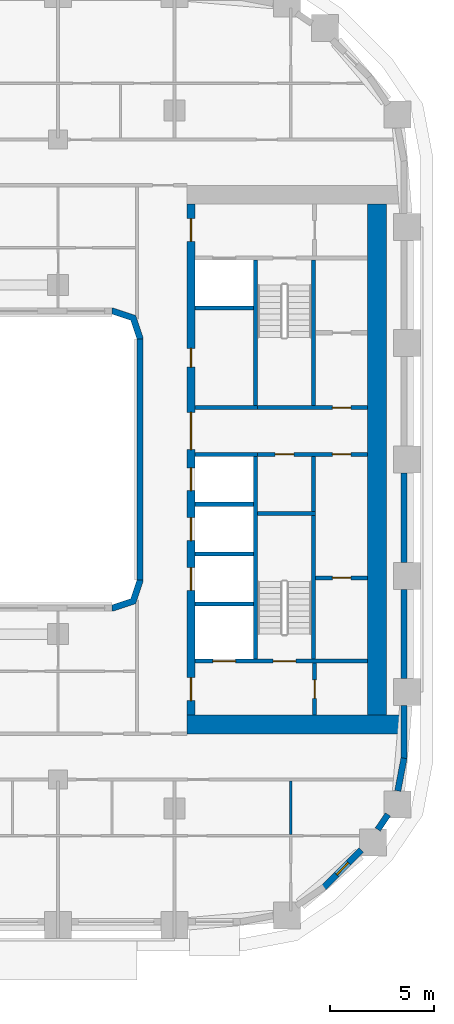
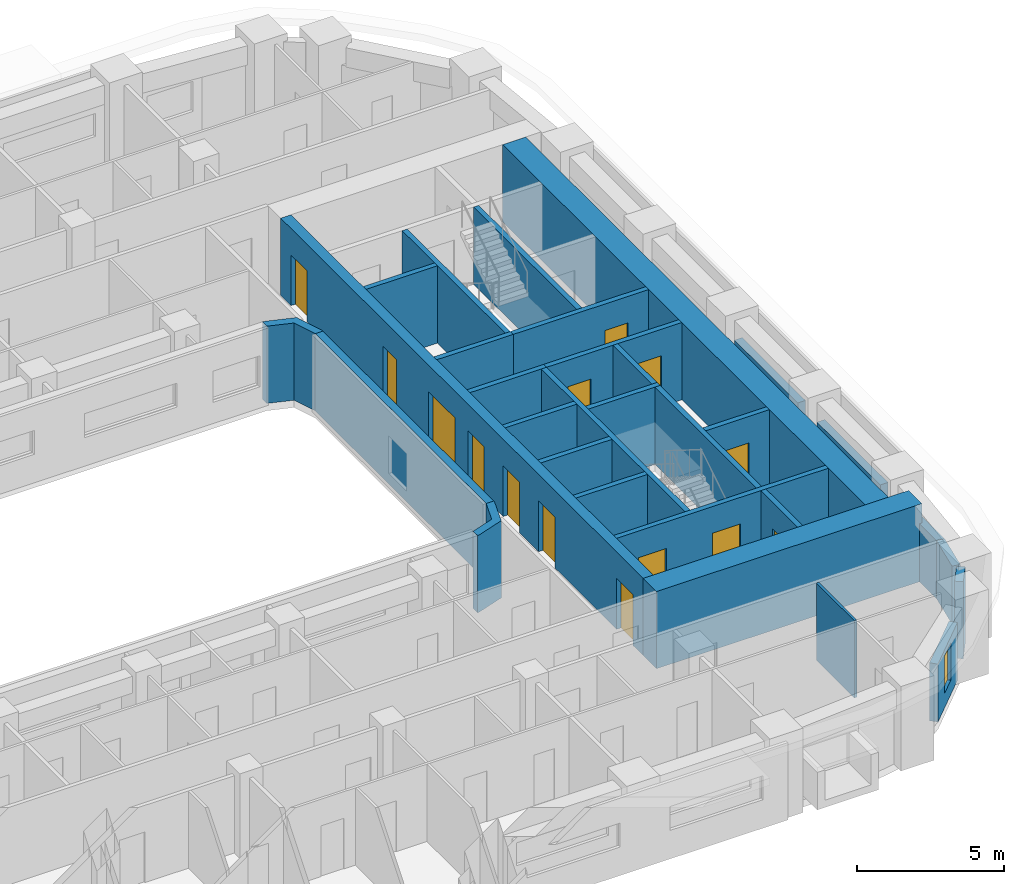
# One storey, part 6 of 22: 30 walls, 14 doors, 1 window, 15 openings.
"""IFC4 building model written with IfcOpenShell, lengths in metres."""

from ifc_helpers import new_model, si_unit, direction, frame, frame_2d, origin, place, context, subcontext, project, spatial, polyline, rectangle, outline, extrude, material, layer, layer_set, type_object, element, fill, save


model = new_model("IFC4")

# Units and contexts
model_context = context("Model", 3, precision=1e-05, world=origin(), true_north=direction((0.0, 1.0)))
body_context = subcontext(model_context, "Body", "Model", "MODEL_VIEW")
ifc_project = project(units=[si_unit("LENGTHUNIT", "METRE"), si_unit("AREAUNIT", "SQUARE_METRE"), si_unit("VOLUMEUNIT", "CUBIC_METRE"), si_unit("PLANEANGLEUNIT", "RADIAN"), si_unit("MASSUNIT", "GRAM", prefix="KILO")], contexts=[model_context])

# Site, building, storey
site_placement = place(None, origin())
site = spatial("IfcSite", under=ifc_project, at=site_placement, CompositionType="ELEMENT")
building_placement = place(site_placement, origin())
building = spatial("IfcBuilding", under=site, at=building_placement, Name="Kiln Ring Residences", CompositionType="ELEMENT")
storey_placement = place(building_placement, frame((0.0, 0.0, 97.300048828125)))
storey = spatial("IfcBuildingStorey", under=building, at=storey_placement, Name="L24", CompositionType="ELEMENT", Elevation=97.300048828125)

# Wall
ifc_material_1 = material(Name="Gypsum board on steel studs", Category="steel")
ifc_layer_1 = layer(ifc_material_1, 0.199951171875)
ifc_layer_set_1 = layer_set([ifc_layer_1], Name="CORE-PARTITION-200")
wall_type_1 = type_object("IfcWallType", Name="CORE-PARTITION-200", PredefinedType="PARTITIONING", material=ifc_layer_set_1)
wall_1_placement = place(storey_placement, frame((23.5, -2.5, 0.0), z_axis=(0.0, 0.0, 1.0), x_axis=(0.0, 1.0, 0.0)))
element("IfcWall", 1, at=wall_1_placement, inside=storey, type_object=wall_type_1, Name="Core partition east L24 1", PredefinedType="PARTITIONING", context=body_context, shape_type="SweptSolid", body=[
    extrude(rectangle(XDim=2.64990234375, YDim=0.199951171875, at=frame_2d((1.324951171875, 0.0))), origin(), (0.0, 0.0, 1.0), 3.199951171875),
])

# Wall, openings, doors
wall_2_placement = place(storey_placement, frame((20.800048828125, 0.25, 0.0), z_axis=(0.0, 0.0, 1.0), x_axis=(1.0, 0.0, 0.0)))
wall_2 = element("IfcWall", 2, at=wall_2_placement, inside=storey, type_object=wall_type_1, Name="Core partition east L24 2", PredefinedType="PARTITIONING", context=body_context, shape_type="SweptSolid", body=[
    extrude(rectangle(XDim=5.300048828125, YDim=0.199951171875, at=frame_2d((2.64990234375, 0.0))), origin(), (0.0, 0.0, 1.0), 3.199951171875),
])
opening_1_placement = place(wall_2_placement, frame((0.85009765625, 0.0, 0.0)))
opening_1 = element("IfcOpeningElement", 3, at=opening_1_placement, cuts=wall_2, Name="Opening L24-CE14", PredefinedType="OPENING", context=body_context, shape_type="SweptSolid", body=[
    extrude(rectangle(XDim=0.89990234375, YDim=2.10009765625, at=frame_2d((0.449951171875, 1.050048828125))), frame((0.0, 0.10986328125, 0.0), z_axis=(0.0, -1.0, 0.0), x_axis=(1.0, 0.0, 0.0)), (0.0, 0.0, 1.0), 0.219970703125),
])
opening_2_placement = place(wall_2_placement, frame((3.60009765625, 0.0, 0.0)))
opening_2 = element("IfcOpeningElement", 4, at=opening_2_placement, cuts=wall_2, Name="Opening L24-CE16", PredefinedType="OPENING", context=body_context, shape_type="SweptSolid", body=[
    extrude(rectangle(XDim=0.89990234375, YDim=2.10009765625, at=frame_2d((0.449951171875, 1.050048828125))), frame((0.0, 0.10986328125, 0.0), z_axis=(0.0, -1.0, 0.0), x_axis=(1.0, 0.0, 0.0)), (0.0, 0.0, 1.0), 0.219970703125),
])
ifc_material_2 = material(Name="Steel door leaf", Category="steel")
door_type_1 = type_object("IfcDoorType", Name="CORE-DOOR-ROOM", OperationType="SINGLE_SWING_LEFT", PredefinedType="DOOR", material=ifc_material_2)
door_1_placement = place(opening_1_placement, origin())
door_1 = element("IfcDoor", 5, at=door_1_placement, inside=storey, type_object=door_type_1, Name="Housekeeping store L24-CE14", OperationType="SINGLE_SWING_LEFT", OverallHeight=2.10009765625, OverallWidth=0.89990234375, PredefinedType="DOOR", context=body_context, shape_type="SweptSolid", body=[
    extrude(rectangle(XDim=0.89990234375, YDim=2.10009765625, at=frame_2d((0.449951171875, 1.050048828125))), frame((0.0, 0.02490234375, 0.0), z_axis=(0.0, -1.0, 0.0), x_axis=(1.0, 0.0, 0.0)), (0.0, 0.0, 1.0), 0.050048828125),
])
fill(opening_1, door_1)
door_2_placement = place(opening_2_placement, origin())
door_2 = element("IfcDoor", 6, at=door_2_placement, inside=storey, type_object=door_type_1, Name="Battery room L24-CE16", OperationType="SINGLE_SWING_LEFT", OverallHeight=2.10009765625, OverallWidth=0.89990234375, PredefinedType="DOOR", context=body_context, shape_type="SweptSolid", body=[
    extrude(rectangle(XDim=0.89990234375, YDim=2.10009765625, at=frame_2d((0.449951171875, 1.050048828125))), frame((0.0, 0.02490234375, 0.0), z_axis=(0.0, -1.0, 0.0), x_axis=(1.0, 0.0, 0.0)), (0.0, 0.0, 1.0), 0.050048828125),
])
fill(opening_2, door_2)

# Wall, opening, door
wall_3_placement = place(storey_placement, frame((23.550048828125, -12.300048828125, 0.0), z_axis=(0.0, 0.0, 1.0), x_axis=(0.0, 1.0, 0.0)))
wall_3 = element("IfcWall", 7, at=wall_3_placement, inside=storey, type_object=wall_type_1, Name="Core partition east L24 4", PredefinedType="PARTITIONING", context=body_context, shape_type="SweptSolid", body=[
    extrude(rectangle(XDim=2.5, YDim=0.199951171875, at=frame_2d((1.25, 0.0))), origin(), (0.0, 0.0, 1.0), 3.199951171875),
])
opening_3_placement = place(wall_3_placement, frame((0.800048828125, 0.0, 0.0)))
opening_3 = element("IfcOpeningElement", 8, at=opening_3_placement, cuts=wall_3, Name="Opening L24-CE10", PredefinedType="OPENING", context=body_context, shape_type="SweptSolid", body=[
    extrude(rectangle(XDim=0.89990234375, YDim=2.10009765625, at=frame_2d((0.449951171875, 1.050048828125))), frame((0.0, 0.10986328125, 0.0), z_axis=(0.0, -1.0, 0.0), x_axis=(1.0, 0.0, 0.0)), (0.0, 0.0, 1.0), 0.219970703125),
])
door_3_placement = place(opening_3_placement, origin())
door_3 = element("IfcDoor", 9, at=door_3_placement, inside=storey, type_object=door_type_1, Name="Store L24-CE10", OperationType="SINGLE_SWING_LEFT", OverallHeight=2.10009765625, OverallWidth=0.89990234375, PredefinedType="DOOR", context=body_context, shape_type="SweptSolid", body=[
    extrude(rectangle(XDim=0.89990234375, YDim=2.10009765625, at=frame_2d((0.449951171875, 1.050048828125))), frame((0.0, 0.02490234375, 0.0), z_axis=(0.0, -1.0, 0.0), x_axis=(1.0, 0.0, 0.0)), (0.0, 0.0, 1.0), 0.050048828125),
])
fill(opening_3, door_3)

wall_4_placement = place(storey_placement, frame((23.60009765625, -5.699951171875, 0.0), z_axis=(0.0, 0.0, 1.0), x_axis=(1.0, 0.0, 0.0)))
wall_4 = element("IfcWall", 10, at=wall_4_placement, inside=storey, type_object=wall_type_1, Name="Core partition east L24 5", PredefinedType="PARTITIONING", context=body_context, shape_type="SweptSolid", body=[
    extrude(rectangle(XDim=2.5, YDim=0.199951171875, at=frame_2d((1.25, 0.0))), origin(), (0.0, 0.0, 1.0), 3.199951171875),
])
opening_4_placement = place(wall_4_placement, frame((0.800048828125, 0.0, 0.0)))
opening_4 = element("IfcOpeningElement", 11, at=opening_4_placement, cuts=wall_4, Name="Opening L24-CE15", PredefinedType="OPENING", context=body_context, shape_type="SweptSolid", body=[
    extrude(rectangle(XDim=0.89990234375, YDim=2.10009765625, at=frame_2d((0.449951171875, 1.050048828125))), frame((0.0, 0.10986328125, 0.0), z_axis=(0.0, -1.0, 0.0), x_axis=(1.0, 0.0, 0.0)), (0.0, 0.0, 1.0), 0.219970703125),
])
door_4_placement = place(opening_4_placement, origin())
door_4 = element("IfcDoor", 12, at=door_4_placement, inside=storey, type_object=door_type_1, Name="Battery room L24-CE15", OperationType="SINGLE_SWING_LEFT", OverallHeight=2.10009765625, OverallWidth=0.89990234375, PredefinedType="DOOR", context=body_context, shape_type="SweptSolid", body=[
    extrude(rectangle(XDim=0.89990234375, YDim=2.10009765625, at=frame_2d((0.449951171875, 1.050048828125))), frame((0.0, 0.02490234375, 0.0), z_axis=(0.0, -1.0, 0.0), x_axis=(1.0, 0.0, 0.0)), (0.0, 0.0, 1.0), 0.050048828125),
])
fill(opening_4, door_4)

# Walls
ifc_material_3 = material(Name="Gypsum shaft wall system")
ifc_layer_2 = layer(ifc_material_3, 0.199951171875)
ifc_layer_set_2 = layer_set([ifc_layer_2], Name="CORE-SHAFT-WALL-200")
wall_type_2 = type_object("IfcWallType", Name="CORE-SHAFT-WALL-200", PredefinedType="PARTITIONING", material=ifc_layer_set_2)
for number, where, z_axis, x_axis, name in (
    (13, (17.800048828125, -6.949951171875, 0.0), (0.0, 0.0, 1.0), (1.0, 0.0, 0.0), "Core partition east L24 7"),
    (14, (17.800048828125, -4.550048828125, 0.0), (0.0, 0.0, 1.0), (1.0, 0.0, 0.0), "Core partition east L24 8"),
    (15, (17.800048828125, -2.14990234375, 0.0), (0.0, 0.0, 1.0), (1.0, 0.0, 0.0), "Core partition east L24 9"),
):
    element("IfcWall", number, at=place(storey_placement, frame(where, z_axis=z_axis, x_axis=x_axis)), inside=storey, type_object=wall_type_2, Name=name, PredefinedType="PARTITIONING", context=body_context, shape_type="SweptSolid", body=[
        extrude(rectangle(XDim=2.800048828125, YDim=0.199951171875, at=frame_2d((1.39990234375, 0.0))), origin(), (0.0, 0.0, 1.0), 3.199951171875),
    ])
for number, where, z_axis, x_axis, name in (
    (16, (17.800048828125, 0.25, 0.0), (0.0, 0.0, 1.0), (1.0, 0.0, 0.0), "Core partition east L24 10"),
    (17, (17.800048828125, 2.5, 0.0), (0.0, 0.0, 1.0), (1.0, 0.0, 0.0), "Core partition east L24 11"),
):
    element("IfcWall", number, at=place(storey_placement, frame(where, z_axis=z_axis, x_axis=x_axis)), inside=storey, type_object=wall_type_2, Name=name, PredefinedType="PARTITIONING", context=body_context, shape_type="SweptSolid", body=[
        extrude(rectangle(XDim=3.0, YDim=0.199951171875, at=frame_2d((1.5, 0.0))), origin(), (0.0, 0.0, 1.0), 3.199951171875),
    ])
wall_5_placement = place(storey_placement, frame((17.800048828125, 7.300048828125, 0.0), z_axis=(0.0, 0.0, 1.0), x_axis=(1.0, 0.0, 0.0)))
element("IfcWall", 18, at=wall_5_placement, inside=storey, type_object=wall_type_2, Name="Core partition east L24 12", PredefinedType="PARTITIONING", context=body_context, shape_type="SweptSolid", body=[
    extrude(rectangle(XDim=2.800048828125, YDim=0.199951171875, at=frame_2d((1.39990234375, 0.0))), origin(), (0.0, 0.0, 1.0), 3.199951171875),
])
ifc_material_4 = material(Name="Concrete C40/50", Category="concrete")
ifc_layer_3 = layer(ifc_material_4, 0.199951171875)
ifc_layer_set_3 = layer_set([ifc_layer_3], Name="CORE-WALL-RC200")
wall_type_3 = type_object("IfcWallType", Name="CORE-WALL-RC200", PredefinedType="SHEAR", material=ifc_layer_set_3)
wall_6_placement = place(storey_placement, frame((20.699951171875, 2.60009765625, 0.0), z_axis=(0.0, 0.0, 1.0), x_axis=(0.0, 1.0, 0.0)))
element("IfcWall", 19, at=wall_6_placement, inside=storey, type_object=wall_type_3, Name="Core wall east L24 1", PredefinedType="SHEAR", context=body_context, shape_type="SweptSolid", body=[
    extrude(rectangle(XDim=7.0, YDim=0.199951171875, at=frame_2d((3.5, 0.0))), origin(), (0.0, 0.0, 1.0), 3.199951171875),
])
wall_7_placement = place(storey_placement, frame((20.699951171875, -9.60009765625, 0.0), z_axis=(0.0, 0.0, 1.0), x_axis=(0.0, 1.0, 0.0)))
element("IfcWall", 20, at=wall_7_placement, inside=storey, type_object=wall_type_3, Name="Core wall east L24 2", PredefinedType="SHEAR", context=body_context, shape_type="SweptSolid", body=[
    extrude(rectangle(XDim=9.75, YDim=0.199951171875, at=frame_2d((4.875, 0.0))), origin(), (0.0, 0.0, 1.0), 3.199951171875),
])

# Wall, opening, door
wall_8_placement = place(storey_placement, frame((20.800048828125, 2.5, 0.0), z_axis=(0.0, 0.0, 1.0), x_axis=(1.0, 0.0, 0.0)))
wall_8 = element("IfcWall", 21, at=wall_8_placement, inside=storey, type_object=wall_type_3, Name="Core wall east L24 3", PredefinedType="SHEAR", context=body_context, shape_type="SweptSolid", body=[
    extrude(rectangle(XDim=5.300048828125, YDim=0.199951171875, at=frame_2d((2.64990234375, 0.0))), origin(), (0.0, 0.0, 1.0), 3.199951171875),
])
opening_5_placement = place(wall_8_placement, frame((3.60009765625, 0.0, 0.0)))
opening_5 = element("IfcOpeningElement", 22, at=opening_5_placement, cuts=wall_8, Name="Opening L24-CE18", PredefinedType="OPENING", context=body_context, shape_type="SweptSolid", body=[
    extrude(rectangle(XDim=0.89990234375, YDim=2.10009765625, at=frame_2d((0.449951171875, 1.050048828125))), frame((0.0, 0.10986328125, 0.0), z_axis=(0.0, -1.0, 0.0), x_axis=(1.0, 0.0, 0.0)), (0.0, 0.0, 1.0), 0.219970703125),
])
door_5_placement = place(opening_5_placement, origin())
door_5 = element("IfcDoor", 23, at=door_5_placement, inside=storey, type_object=door_type_1, Name="Comms room L24-CE18", OperationType="SINGLE_SWING_RIGHT", OverallHeight=2.10009765625, OverallWidth=0.89990234375, PredefinedType="DOOR", context=body_context, shape_type="SweptSolid", body=[
    extrude(rectangle(XDim=0.89990234375, YDim=2.10009765625, at=frame_2d((0.449951171875, 1.050048828125))), frame((0.0, 0.02490234375, 0.0), z_axis=(0.0, -1.0, 0.0), x_axis=(1.0, 0.0, 0.0)), (0.0, 0.0, 1.0), 0.050048828125),
])
fill(opening_5, door_5)

# Wall, openings, doors
wall_9_placement = place(storey_placement, frame((17.800048828125, -9.699951171875, 0.0), z_axis=(0.0, 0.0, 1.0), x_axis=(1.0, 0.0, 0.0)))
wall_9 = element("IfcWall", 24, at=wall_9_placement, inside=storey, type_object=wall_type_3, Name="Core wall east L24 8", PredefinedType="SHEAR", context=body_context, shape_type="SweptSolid", body=[
    extrude(rectangle(XDim=8.300048828125, YDim=0.199951171875, at=frame_2d((4.14990234375, 0.0))), origin(), (0.0, 0.0, 1.0), 3.199951171875),
])
opening_6_placement = place(wall_9_placement, frame((0.85009765625, 0.0, 0.0)))
opening_6 = element("IfcOpeningElement", 25, at=opening_6_placement, cuts=wall_9, Name="Opening L24-CE01", PredefinedType="OPENING", context=body_context, shape_type="SweptSolid", body=[
    extrude(rectangle(XDim=1.10009765625, YDim=2.10009765625, at=frame_2d((0.550048828125, 1.050048828125))), frame((0.0, 0.10986328125, 0.0), z_axis=(0.0, -1.0, 0.0), x_axis=(1.0, 0.0, 0.0)), (0.0, 0.0, 1.0), 0.219970703125),
])
opening_7_placement = place(wall_9_placement, frame((3.75, 0.0, 0.0)))
opening_7 = element("IfcOpeningElement", 26, at=opening_7_placement, cuts=wall_9, Name="Opening L24-CE12", PredefinedType="OPENING", context=body_context, shape_type="SweptSolid", body=[
    extrude(rectangle(XDim=1.10009765625, YDim=2.10009765625, at=frame_2d((0.550048828125, 1.050048828125))), frame((0.0, 0.10986328125, 0.0), z_axis=(0.0, -1.0, 0.0), x_axis=(1.0, 0.0, 0.0)), (0.0, 0.0, 1.0), 0.219970703125),
])
ifc_material_5 = material(Name="Steel door leaf", Category="steel")
door_type_2 = type_object("IfcDoorType", Name="CORE-DOOR-LD", OperationType="DOUBLE_DOOR_SLIDING", PredefinedType="DOOR", material=ifc_material_5)
door_6_placement = place(opening_6_placement, origin())
door_6 = element("IfcDoor", 27, at=door_6_placement, inside=storey, type_object=door_type_2, Name="LD E-SV L24-CE01", OperationType="DOUBLE_DOOR_SLIDING", OverallHeight=2.10009765625, OverallWidth=1.10009765625, PredefinedType="DOOR", context=body_context, shape_type="SweptSolid", body=[
    extrude(rectangle(XDim=1.10009765625, YDim=2.10009765625, at=frame_2d((0.550048828125, 1.050048828125))), frame((0.0, 0.02490234375, 0.0), z_axis=(0.0, -1.0, 0.0), x_axis=(1.0, 0.0, 0.0)), (0.0, 0.0, 1.0), 0.050048828125),
])
fill(opening_6, door_6)
ifc_material_6 = material(Name="Steel door leaf", Category="steel")
door_type_3 = type_object("IfcDoorType", Name="CORE-DOOR-STAIR", OperationType="SINGLE_SWING_LEFT", PredefinedType="DOOR", material=ifc_material_6)
door_7_placement = place(opening_7_placement, origin())
door_7 = element("IfcDoor", 28, at=door_7_placement, inside=storey, type_object=door_type_3, Name="Stair E-STS L24-CE12", OperationType="SINGLE_SWING_RIGHT", OverallHeight=2.10009765625, OverallWidth=1.10009765625, PredefinedType="DOOR", context=body_context, shape_type="SweptSolid", body=[
    extrude(rectangle(XDim=1.10009765625, YDim=2.10009765625, at=frame_2d((0.550048828125, 1.050048828125))), frame((0.0, 0.02490234375, 0.0), z_axis=(0.0, -1.0, 0.0), x_axis=(1.0, 0.0, 0.0)), (0.0, 0.0, 1.0), 0.050048828125),
])
fill(opening_7, door_7)

# Walls
wall_10_placement = place(storey_placement, frame((23.5, 2.60009765625, 0.0), z_axis=(0.0, 0.0, 1.0), x_axis=(0.0, 1.0, 0.0)))
element("IfcWall", 29, at=wall_10_placement, inside=storey, type_object=wall_type_3, Name="Core wall east L24 10", PredefinedType="SHEAR", context=body_context, shape_type="SweptSolid", body=[
    extrude(rectangle(XDim=7.0, YDim=0.199951171875, at=frame_2d((3.5, 0.0))), origin(), (0.0, 0.0, 1.0), 3.199951171875),
])
wall_11_placement = place(storey_placement, frame((23.5, -9.60009765625, 0.0), z_axis=(0.0, 0.0, 1.0), x_axis=(0.0, 1.0, 0.0)))
element("IfcWall", 30, at=wall_11_placement, inside=storey, type_object=wall_type_3, Name="Core wall east L24 11", PredefinedType="SHEAR", context=body_context, shape_type="SweptSolid", body=[
    extrude(rectangle(XDim=6.900146484375, YDim=0.199951171875, at=frame_2d((3.4501953125, 0.0))), origin(), (0.0, 0.0, 1.0), 3.199951171875),
])
wall_12_placement = place(storey_placement, frame((20.800048828125, -2.60009765625, 0.0), z_axis=(0.0, 0.0, 1.0), x_axis=(1.0, 0.0, 0.0)))
element("IfcWall", 31, at=wall_12_placement, inside=storey, type_object=wall_type_3, Name="Core wall east L24 12", PredefinedType="SHEAR", context=body_context, shape_type="SweptSolid", body=[
    extrude(rectangle(XDim=2.800048828125, YDim=0.199951171875, at=frame_2d((1.39990234375, 0.0))), origin(), (0.0, 0.0, 1.0), 3.199951171875),
])

# Wall, openings, doors
ifc_material_7 = material(Name="Concrete C60/75", Category="concrete")
ifc_layer_4 = layer(ifc_material_7, 0.39990234375)
ifc_layer_set_4 = layer_set([ifc_layer_4], Name="CORE-WALL-RC400")
wall_type_4 = type_object("IfcWallType", Name="CORE-WALL-RC400", PredefinedType="SHEAR", material=ifc_layer_set_4)
wall_13_placement = place(storey_placement, frame((17.60009765625, -12.300048828125, 0.0), z_axis=(0.0, 0.0, 1.0), x_axis=(0.0, 1.0, 0.0)))
wall_13 = element("IfcWall", 32, at=wall_13_placement, inside=storey, type_object=wall_type_4, Name="Core wall east L24 6", PredefinedType="SHEAR", context=body_context, shape_type="SweptSolid", body=[
    extrude(rectangle(XDim=24.60009765625, YDim=0.39990234375, at=frame_2d((12.300048828125, 0.0))), origin(), (0.0, 0.0, 1.0), 3.199951171875),
])
opening_8_placement = place(wall_13_placement, frame((6.0, 0.0, 0.0)))
opening_8 = element("IfcOpeningElement", 33, at=opening_8_placement, cuts=wall_13, Name="Opening L24-CE02", PredefinedType="OPENING", context=body_context, shape_type="SweptSolid", body=[
    extrude(rectangle(XDim=1.10009765625, YDim=2.10009765625, at=frame_2d((0.550048828125, 1.050048828125))), frame((0.0, 0.2099609375, 0.0), z_axis=(0.0, -1.0, 0.0), x_axis=(1.0, 0.0, 0.0)), (0.0, 0.0, 1.0), 0.419921875),
])
opening_9_placement = place(wall_13_placement, frame((8.39990234375, 0.0, 0.0)))
opening_9 = element("IfcOpeningElement", 34, at=opening_9_placement, cuts=wall_13, Name="Opening L24-CE03", PredefinedType="OPENING", context=body_context, shape_type="SweptSolid", body=[
    extrude(rectangle(XDim=1.10009765625, YDim=2.10009765625, at=frame_2d((0.550048828125, 1.050048828125))), frame((0.0, 0.2099609375, 0.0), z_axis=(0.0, -1.0, 0.0), x_axis=(1.0, 0.0, 0.0)), (0.0, 0.0, 1.0), 0.419921875),
])
opening_10_placement = place(wall_13_placement, frame((10.800048828125, 0.0, 0.0)))
opening_10 = element("IfcOpeningElement", 35, at=opening_10_placement, cuts=wall_13, Name="Opening L24-CE04", PredefinedType="OPENING", context=body_context, shape_type="SweptSolid", body=[
    extrude(rectangle(XDim=1.10009765625, YDim=2.10009765625, at=frame_2d((0.550048828125, 1.050048828125))), frame((0.0, 0.2099609375, 0.0), z_axis=(0.0, -1.0, 0.0), x_axis=(1.0, 0.0, 0.0)), (0.0, 0.0, 1.0), 0.419921875),
])
opening_11_placement = place(wall_13_placement, frame((16.75, 0.0, 0.0)))
opening_11 = element("IfcOpeningElement", 36, at=opening_11_placement, cuts=wall_13, Name="Opening L24-CE05", PredefinedType="OPENING", context=body_context, shape_type="SweptSolid", body=[
    extrude(rectangle(XDim=0.89990234375, YDim=2.10009765625, at=frame_2d((0.449951171875, 1.050048828125))), frame((0.0, 0.2099609375, 0.0), z_axis=(0.0, -1.0, 0.0), x_axis=(1.0, 0.0, 0.0)), (0.0, 0.0, 1.0), 0.419921875),
])
opening_12_placement = place(wall_13_placement, frame((22.800048828125, 0.0, 0.0)))
opening_12 = element("IfcOpeningElement", 37, at=opening_12_placement, cuts=wall_13, Name="Opening L24-CE07", PredefinedType="OPENING", context=body_context, shape_type="SweptSolid", body=[
    extrude(rectangle(XDim=1.10009765625, YDim=2.10009765625, at=frame_2d((0.550048828125, 1.050048828125))), frame((0.0, 0.2099609375, 0.0), z_axis=(0.0, -1.0, 0.0), x_axis=(1.0, 0.0, 0.0)), (0.0, 0.0, 1.0), 0.419921875),
])
opening_13_placement = place(wall_13_placement, frame((0.699951171875, 0.0, 0.0)))
opening_13 = element("IfcOpeningElement", 38, at=opening_13_placement, cuts=wall_13, Name="Opening L24-CE08", PredefinedType="OPENING", context=body_context, shape_type="SweptSolid", body=[
    extrude(rectangle(XDim=1.10009765625, YDim=2.10009765625, at=frame_2d((0.550048828125, 1.050048828125))), frame((0.0, 0.2099609375, 0.0), z_axis=(0.0, -1.0, 0.0), x_axis=(1.0, 0.0, 0.0)), (0.0, 0.0, 1.0), 0.419921875),
])
opening_14_placement = place(wall_13_placement, frame((12.77490234375, 0.0, 0.0)))
opening_14 = element("IfcOpeningElement", 39, at=opening_14_placement, cuts=wall_13, Name="Opening L24-CE13", PredefinedType="OPENING", context=body_context, shape_type="SweptSolid", body=[
    extrude(rectangle(XDim=1.800048828125, YDim=2.10009765625, at=frame_2d((0.89990234375, 1.050048828125))), frame((0.0, 0.2099609375, 0.0), z_axis=(0.0, -1.0, 0.0), x_axis=(1.0, 0.0, 0.0)), (0.0, 0.0, 1.0), 0.419921875),
])
door_8_placement = place(opening_8_placement, origin())
door_8 = element("IfcDoor", 40, at=door_8_placement, inside=storey, type_object=door_type_2, Name="LD E-L1 L24-CE02", OperationType="DOUBLE_DOOR_SLIDING", OverallHeight=2.10009765625, OverallWidth=1.10009765625, PredefinedType="DOOR", context=body_context, shape_type="SweptSolid", body=[
    extrude(rectangle(XDim=1.10009765625, YDim=2.10009765625, at=frame_2d((0.550048828125, 1.050048828125))), frame((0.0, 0.02490234375, 0.0), z_axis=(0.0, -1.0, 0.0), x_axis=(1.0, 0.0, 0.0)), (0.0, 0.0, 1.0), 0.050048828125),
])
fill(opening_8, door_8)
door_9_placement = place(opening_9_placement, origin())
door_9 = element("IfcDoor", 41, at=door_9_placement, inside=storey, type_object=door_type_2, Name="LD E-L2 L24-CE03", OperationType="DOUBLE_DOOR_SLIDING", OverallHeight=2.10009765625, OverallWidth=1.10009765625, PredefinedType="DOOR", context=body_context, shape_type="SweptSolid", body=[
    extrude(rectangle(XDim=1.10009765625, YDim=2.10009765625, at=frame_2d((0.550048828125, 1.050048828125))), frame((0.0, 0.02490234375, 0.0), z_axis=(0.0, -1.0, 0.0), x_axis=(1.0, 0.0, 0.0)), (0.0, 0.0, 1.0), 0.050048828125),
])
fill(opening_9, door_9)
door_10_placement = place(opening_10_placement, origin())
door_10 = element("IfcDoor", 42, at=door_10_placement, inside=storey, type_object=door_type_2, Name="LD E-L3 L24-CE04", OperationType="DOUBLE_DOOR_SLIDING", OverallHeight=2.10009765625, OverallWidth=1.10009765625, PredefinedType="DOOR", context=body_context, shape_type="SweptSolid", body=[
    extrude(rectangle(XDim=1.10009765625, YDim=2.10009765625, at=frame_2d((0.550048828125, 1.050048828125))), frame((0.0, 0.02490234375, 0.0), z_axis=(0.0, -1.0, 0.0), x_axis=(1.0, 0.0, 0.0)), (0.0, 0.0, 1.0), 0.050048828125),
])
fill(opening_10, door_10)
ifc_material_8 = material(Name="Steel door leaf", Category="steel")
door_type_4 = type_object("IfcDoorType", Name="CORE-DOOR-LOBBY", OperationType="SINGLE_SWING_LEFT", PredefinedType="DOOR", material=ifc_material_8)
door_11_placement = place(opening_12_placement, origin())
door_11 = element("IfcDoor", 43, at=door_11_placement, inside=storey, type_object=door_type_4, Name="FFL L24-CE07", OperationType="SINGLE_SWING_LEFT", OverallHeight=2.10009765625, OverallWidth=1.10009765625, PredefinedType="DOOR", context=body_context, shape_type="SweptSolid", body=[
    extrude(rectangle(XDim=1.10009765625, YDim=2.10009765625, at=frame_2d((0.550048828125, 1.050048828125))), frame((0.0, 0.02490234375, 0.0), z_axis=(0.0, -1.0, 0.0), x_axis=(1.0, 0.0, 0.0)), (0.0, 0.0, 1.0), 0.050048828125),
])
fill(opening_12, door_11)
door_12_placement = place(opening_13_placement, origin())
door_12 = element("IfcDoor", 44, at=door_12_placement, inside=storey, type_object=door_type_4, Name="SVL L24-CE08", OperationType="SINGLE_SWING_RIGHT", OverallHeight=2.10009765625, OverallWidth=1.10009765625, PredefinedType="DOOR", context=body_context, shape_type="SweptSolid", body=[
    extrude(rectangle(XDim=1.10009765625, YDim=2.10009765625, at=frame_2d((0.550048828125, 1.050048828125))), frame((0.0, 0.02490234375, 0.0), z_axis=(0.0, -1.0, 0.0), x_axis=(1.0, 0.0, 0.0)), (0.0, 0.0, 1.0), 0.050048828125),
])
fill(opening_13, door_12)
ifc_material_9 = material(Name="Steel door leaf", Category="steel")
door_type_5 = type_object("IfcDoorType", Name="CORE-DOOR-PASS", OperationType="DOUBLE_DOOR_SINGLE_SWING", PredefinedType="DOOR", material=ifc_material_9)
door_13_placement = place(opening_14_placement, origin())
door_13 = element("IfcDoor", 45, at=door_13_placement, inside=storey, type_object=door_type_5, Name="Core passage L24-CE13", OperationType="DOUBLE_DOOR_SINGLE_SWING", OverallHeight=2.10009765625, OverallWidth=1.800048828125, PredefinedType="DOOR", context=body_context, shape_type="SweptSolid", body=[
    extrude(rectangle(XDim=1.800048828125, YDim=2.10009765625, at=frame_2d((0.89990234375, 1.050048828125))), frame((0.0, 0.02490234375, 0.0), z_axis=(0.0, -1.0, 0.0), x_axis=(1.0, 0.0, 0.0)), (0.0, 0.0, 1.0), 0.050048828125),
])
fill(opening_14, door_13)
door_14_placement = place(opening_11_placement, origin())
door_14 = element("IfcDoor", 46, at=door_14_placement, inside=storey, type_object=door_type_1, Name="Locker store L24-CE05", OperationType="SINGLE_SWING_RIGHT", OverallHeight=2.10009765625, OverallWidth=0.89990234375, PredefinedType="DOOR", context=body_context, shape_type="SweptSolid", body=[
    extrude(rectangle(XDim=0.89990234375, YDim=2.10009765625, at=frame_2d((0.449951171875, 1.050048828125))), frame((0.0, 0.02490234375, 0.0), z_axis=(0.0, -1.0, 0.0), x_axis=(1.0, 0.0, 0.0)), (0.0, 0.0, 1.0), 0.050048828125),
])
fill(opening_11, door_14)

# Walls
ifc_material_10 = material(Name="Concrete C60/75", Category="concrete")
ifc_layer_5 = layer(ifc_material_10, 0.89990234375)
ifc_layer_set_5 = layer_set([ifc_layer_5], Name="CORE-WALL-RC900")
wall_type_5 = type_object("IfcWallType", Name="CORE-WALL-RC900", PredefinedType="SHEAR", material=ifc_layer_set_5)
wall_14_placement = place(storey_placement, frame((17.39990234375, -12.75, 0.0), z_axis=(0.0, 0.0, 1.0), x_axis=(1.0, 0.0, 0.0)))
element("IfcWall", 47, at=wall_14_placement, inside=storey, type_object=wall_type_5, Name="Core wall east L24 5", PredefinedType="SHEAR", context=body_context, shape_type="SweptSolid", body=[
    extrude(rectangle(XDim=10.400146484375, YDim=0.89990234375, at=frame_2d((5.2001953125, 0.0))), origin(), (0.0, 0.0, 1.0), 3.199951171875),
])
wall_15_placement = place(storey_placement, frame((26.550048828125, -12.300048828125, 0.0), z_axis=(0.0, 0.0, 1.0), x_axis=(0.0, 1.0, 0.0)))
element("IfcWall", 48, at=wall_15_placement, inside=storey, type_object=wall_type_5, Name="Core wall east L24 7", PredefinedType="SHEAR", context=body_context, shape_type="SweptSolid", body=[
    extrude(rectangle(XDim=24.60009765625, YDim=0.89990234375, at=frame_2d((12.300048828125, 0.0))), origin(), (0.0, 0.0, 1.0), 3.199951171875),
])

# Wall, opening, window
ifc_material_11 = material(Name="Brick masonry, dark clay brick", Category="masonry")
ifc_layer_6 = layer(ifc_material_11, 0.300048828125)
ifc_layer_set_6 = layer_set([ifc_layer_6], Name="EW-300 BRICK WALL")
wall_type_6 = type_object("IfcWallType", Name="EW-300 BRICK WALL", PredefinedType="SOLIDWALL", material=ifc_layer_set_6)
wall_16_placement = place(storey_placement, frame((23.990966796875, -20.596923828125, 0.0), z_axis=(0.0, 0.0, 1.0), x_axis=(0.707106781187, 0.707106781187, 0.0)))
wall_16 = element("IfcWall", 49, at=wall_16_placement, inside=storey, type_object=wall_type_6, Name="Facade wall L24 14", PredefinedType="SOLIDWALL", context=body_context, shape_type="SweptSolid", body=[
    extrude(rectangle(XDim=2.550048828125, YDim=0.300048828125, at=frame_2d((1.27490234375, 0.0))), origin(), (0.0, 0.0, 1.0), 2.39990234375),
])
opening_15_placement = place(wall_16_placement, frame((0.875, 0.0, 0.60009765625)))
opening_15 = element("IfcOpeningElement", 50, at=opening_15_placement, cuts=wall_16, Name="Opening W5", PredefinedType="OPENING", context=body_context, shape_type="SweptSolid", body=[
    extrude(rectangle(XDim=0.800048828125, YDim=1.550048828125, at=frame_2d((0.39990234375, 0.77490234375))), frame((0.0, 0.159912109375, 0.0), z_axis=(0.0, -1.0, 0.0), x_axis=(1.0, 0.0, 0.0)), (0.0, 0.0, 1.0), 0.320068359375),
])
ifc_material_12 = material(Name="Aluminium frame with double glazing", Category="aluminium")
window_type = type_object("IfcWindowType", Name="WINDOW 800 x 1550", PartitioningType="SINGLE_PANEL", PredefinedType="WINDOW", material=ifc_material_12)
window_placement = place(opening_15_placement, origin())
window = element("IfcWindow", 51, at=window_placement, inside=storey, type_object=window_type, Name="Window L24 11", OverallHeight=1.550048828125, OverallWidth=0.800048828125, PartitioningType="SINGLE_PANEL", PredefinedType="WINDOW", context=body_context, shape_type="SweptSolid", body=[
    extrude(rectangle(XDim=0.800048828125, YDim=1.550048828125, at=frame_2d((0.39990234375, 0.77490234375))), frame((0.0, 0.030029296875, 0.0), z_axis=(0.0, -1.0, 0.0), x_axis=(1.0, 0.0, 0.0)), (0.0, 0.0, 1.0), 0.06005859375),
])
fill(opening_15, window)

# Walls
wall_17_placement = place(storey_placement, frame((26.588623046875, -17.809814453125, 0.0), z_axis=(0.0, 0.0, 1.0), x_axis=(0.562066330934, 0.827092159091, 0.0)))
element("IfcWall", 52, at=wall_17_placement, inside=storey, type_object=wall_type_6, Name="Facade wall L24 15", PredefinedType="SOLIDWALL", context=body_context, shape_type="SweptSolid", body=[
    extrude(rectangle(XDim=0.876953125, YDim=0.300048828125, at=frame_2d((0.4384765625, 0.0))), origin(), (0.0, 0.0, 1.0), 3.199951171875),
])
wall_18_placement = place(storey_placement, frame((27.5517578125, -15.949462890625, 0.0), z_axis=(0.0, 0.0, 1.0), x_axis=(0.187279751651, 0.982306619453, 0.0)))
element("IfcWall", 53, at=wall_18_placement, inside=storey, type_object=wall_type_6, Name="Facade wall L24 16", PredefinedType="SOLIDWALL", context=body_context, shape_type="SweptSolid", body=[
    extrude(rectangle(XDim=1.60595703125, YDim=0.300048828125, at=frame_2d((0.802978515625, 0.0))), origin(), (0.0, 0.0, 1.0), 2.39990234375),
])
wall_19_placement = place(storey_placement, frame((27.85009765625, -14.39990234375, 0.0), z_axis=(0.0, 0.0, 1.0), x_axis=(0.0, 1.0, 0.0)))
element("IfcWall", 54, at=wall_19_placement, inside=storey, type_object=wall_type_6, Name="Facade wall L24 17", PredefinedType="SOLIDWALL", context=body_context, shape_type="SweptSolid", body=[
    extrude(rectangle(XDim=2.5498046875, YDim=0.300048828125, at=frame_2d((1.27490234375, 0.0))), origin(), (0.0, 0.0, 1.0), 2.39990234375),
])
for number, where, z_axis, x_axis, name in (
    (55, (27.85009765625, -10.550048828125, 0.0), (0.0, 0.0, 1.0), (0.0, 1.0, 0.0), "Facade wall L24 18"),
    (56, (27.85009765625, -4.949951171875, 0.0), (0.0, 0.0, 1.0), (0.0, 1.0, 0.0), "Facade wall L24 19"),
):
    element("IfcWall", number, at=place(storey_placement, frame(where, z_axis=z_axis, x_axis=x_axis)), inside=storey, type_object=wall_type_6, Name=name, PredefinedType="SOLIDWALL", context=body_context, shape_type="SweptSolid", body=[
        extrude(rectangle(XDim=4.300048828125, YDim=0.300048828125, at=frame_2d((2.14990234375, 0.0))), origin(), (0.0, 0.0, 1.0), 2.39990234375),
    ])
wall_20_placement = place(storey_placement, frame((15.14990234375, 5.800048828125, 0.0), z_axis=(0.0, 0.0, 1.0), x_axis=(0.0, -1.0, 0.0)))
element("IfcWall", 57, at=wall_20_placement, inside=storey, type_object=wall_type_6, Name="Facade wall L24 51", PredefinedType="SOLIDWALL", context=body_context, shape_type="SweptSolid", body=[
    extrude(rectangle(XDim=11.60009765625, YDim=0.300048828125, at=frame_2d((5.800048828125, 0.0))), origin(), (0.0, 0.0, 1.0), 3.199951171875),
])
placement = place(storey_placement, origin())
element("IfcWall", 58, at=placement, inside=storey, type_object=wall_type_6, Name="Corner wall L24 2", PredefinedType="SOLIDWALL", context=body_context, shape_type="SweptSolid", body=[
    extrude(outline(polyline([(14.937255859375, 6.937255859375), (13.8486328125, 7.300048828125), (13.800048828125, 7.300048828125), (13.800048828125, 7.0), (14.699951171875, 6.699951171875), (15.0, 5.800048828125), (15.300048828125, 5.800048828125), (15.300048828125, 5.8486328125), (14.937255859375, 6.937255859375)])), origin(), (0.0, 0.0, 1.0), 3.199951171875),
])
element("IfcWall", 59, at=placement, inside=storey, type_object=wall_type_6, Name="Corner wall L24 3", PredefinedType="SOLIDWALL", context=body_context, shape_type="SweptSolid", body=[
    extrude(outline(polyline([(14.937255859375, -6.937255859375), (15.300048828125, -5.8486328125), (15.300048828125, -5.800048828125), (15.0, -5.800048828125), (14.699951171875, -6.699951171875), (13.800048828125, -7.0), (13.800048828125, -7.300048828125), (13.8486328125, -7.300048828125), (14.937255859375, -6.937255859375)])), origin(), (0.0, 0.0, 1.0), 3.199951171875),
])
ifc_material_13 = material(Name="Gypsum board on steel studs", Category="steel")
ifc_layer_7 = layer(ifc_material_13, 0.10009765625)
ifc_layer_set_7 = layer_set([ifc_layer_7], Name="PARTITION-100")
wall_type_7 = type_object("IfcWallType", Name="PARTITION-100", PredefinedType="PARTITIONING", material=ifc_layer_set_7)
wall_23_placement = place(storey_placement, frame((22.39990234375, -18.050048828125, 0.0), z_axis=(0.0, 0.0, 1.0), x_axis=(0.0, 1.0, 0.0)))
element("IfcWall", 60, at=wall_23_placement, inside=storey, type_object=wall_type_7, Name="Partition 077", PredefinedType="PARTITIONING", context=body_context, shape_type="SweptSolid", body=[
    extrude(rectangle(XDim=2.574951171875, YDim=0.10009765625, at=frame_2d((1.28759765625, 0.0))), origin(), (0.0, 0.0, 1.0), 3.199951171875),
])

save(model, "model.ifc")
